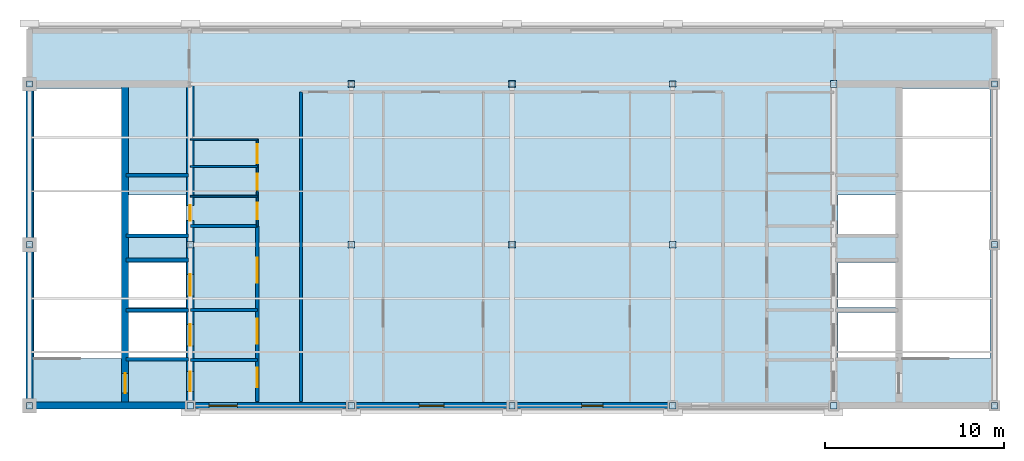
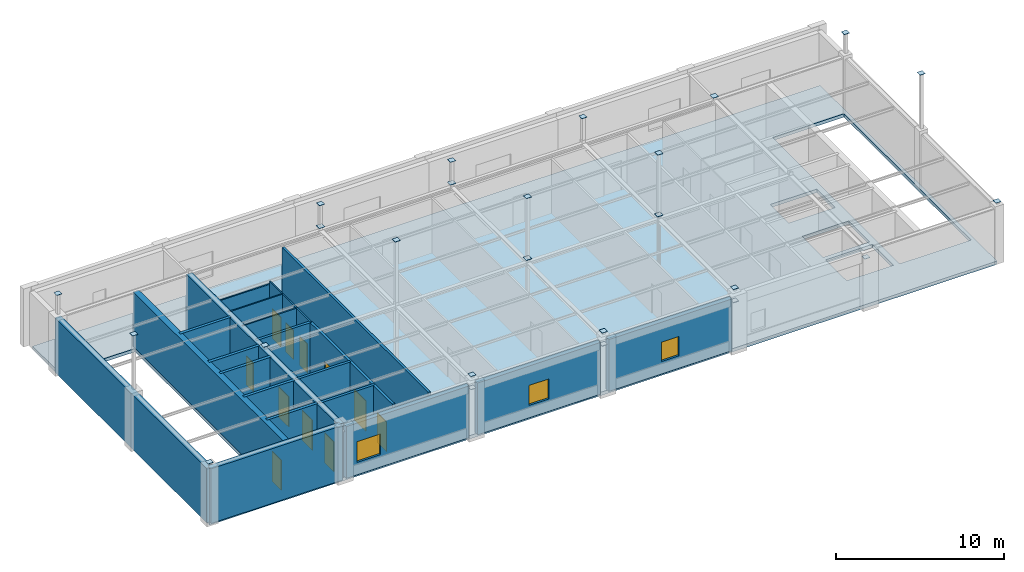
# One storey, part 10 of 13: 26 plates, 21 walls, 11 doors, 3 windows, 1 slab, 20 openings.
"""IFC4 building model written with IfcOpenShell, lengths in metres."""

from ifc_helpers import new_model, si_unit, direction, frame, frame_2d, origin, origin_2d, place, context, subcontext, project, spatial, polyline, rectangle, outline, extrude, material, layer, layer_set, type_object, element, fill, save


model = new_model("IFC4")

# Units and contexts
model_context = context("Model", 3, precision=1e-05, world=origin(), true_north=direction((0.0, 1.0)))
body_context = subcontext(model_context, "Body", "Model", "MODEL_VIEW")
ifc_project = project(units=[si_unit("LENGTHUNIT", "METRE"), si_unit("AREAUNIT", "SQUARE_METRE"), si_unit("VOLUMEUNIT", "CUBIC_METRE"), si_unit("PLANEANGLEUNIT", "RADIAN"), si_unit("MASSUNIT", "GRAM", prefix="KILO")], contexts=[model_context])

# Site, building, storey
site_placement = place(None, origin())
site = spatial("IfcSite", under=ifc_project, at=site_placement, CompositionType="ELEMENT")
building_placement = place(site_placement, origin())
building = spatial("IfcBuilding", under=site, at=building_placement, Name="Lykobir Media Centre", CompositionType="ELEMENT")
storey_placement = place(building_placement, frame((0.0, 0.0, 36.0)))
storey = spatial("IfcBuildingStorey", under=building, at=storey_placement, Name="L08", CompositionType="ELEMENT", Elevation=36.0)

# Plates
ifc_material_1 = material(Name="Steel S355", Category="steel")
ifc_layer_1 = layer(ifc_material_1, 0.02001953125, Name="Steel S355")
ifc_layer_set_1 = layer_set([ifc_layer_1], Name="Steel S355")
plate_type_1 = type_object("IfcPlateType", Name="CP-320", PredefinedType="SHEET", material=ifc_layer_set_1)
for number, where, z_axis, x_axis, name in (
    (1, (27.0, 0.0, 4.3447265625), (0.0, 0.0, 1.0), (1.0, 0.0, 0.0), "Structural plate PLT-L08-0270-0000-0404"),
    (2, (27.0, 9.0, 8.1650390625), (0.0, 0.0, 1.0), (1.0, 0.0, 0.0), "Structural plate PLT-L08-0270-0090-0442"),
    (3, (27.0, 18.0, 5.647705078125), (0.0, 0.0, 1.0), (1.0, 0.0, 0.0), "Structural plate PLT-L08-0270-0180-0417"),
    (4, (45.0, 0.0, 4.381591796875), (0.0, 0.0, 1.0), (1.0, 0.0, 0.0), "Structural plate PLT-L08-0450-0000-0404"),
    (5, (45.0, 9.0, 8.67431640625), (0.0, 0.0, 1.0), (1.0, 0.0, 0.0), "Structural plate PLT-L08-0450-0090-0447"),
    (6, (45.0, 18.0, 5.845703125), (0.0, 0.0, 1.0), (1.0, 0.0, 0.0), "Structural plate PLT-L08-0450-0180-0419"),
    (7, (54.0, 0.0, 4.381591796875), (0.0, 0.0, 1.0), (1.0, 0.0, 0.0), "Structural plate PLT-L08-0540-0000-0404"),
    (8, (54.0, 9.0, 8.67431640625), (0.0, 0.0, 1.0), (1.0, 0.0, 0.0), "Structural plate PLT-L08-0540-0090-0447"),
    (9, (54.0, 18.0, 5.845703125), (0.0, 0.0, 1.0), (1.0, 0.0, 0.0), "Structural plate PLT-L08-0540-0180-0419"),
    (10, (63.0, 0.0, 4.381591796875), (0.0, 0.0, 1.0), (1.0, 0.0, 0.0), "Structural plate PLT-L08-0630-0000-0404"),
    (11, (63.0, 9.0, 8.67431640625), (0.0, 0.0, 1.0), (1.0, 0.0, 0.0), "Structural plate PLT-L08-0630-0090-0447"),
    (12, (63.0, 18.0, 5.845703125), (0.0, 0.0, 1.0), (1.0, 0.0, 0.0), "Structural plate PLT-L08-0630-0180-0419"),
    (13, (81.0, 0.0, 4.3447265625), (0.0, 0.0, 1.0), (1.0, 0.0, 0.0), "Structural plate PLT-L08-0810-0000-0404"),
    (14, (81.0, 9.0, 8.1650390625), (0.0, 0.0, 1.0), (1.0, 0.0, 0.0), "Structural plate PLT-L08-0810-0090-0442"),
    (15, (81.0, 18.0, 5.647705078125), (0.0, 0.0, 1.0), (1.0, 0.0, 0.0), "Structural plate PLT-L08-0810-0180-0417"),
    (16, (36.0, 0.0, 3.43994140625), (0.0, 0.0, 1.0), (1.0, 0.0, 0.0), "Structural plate PLT-L08-0360-0000-0394"),
    (17, (45.0, 0.0, 3.43994140625), (0.0, 0.0, 1.0), (1.0, 0.0, 0.0), "Structural plate PLT-L08-0450-0000-0394"),
    (18, (54.0, 0.0, 3.43994140625), (0.0, 0.0, 1.0), (1.0, 0.0, 0.0), "Structural plate PLT-L08-0540-0000-0394"),
    (19, (63.0, 0.0, 3.43994140625), (0.0, 0.0, 1.0), (1.0, 0.0, 0.0), "Structural plate PLT-L08-0630-0000-0394"),
    (20, (72.0, 0.0, 3.43994140625), (0.0, 0.0, 1.0), (1.0, 0.0, 0.0), "Structural plate PLT-L08-0720-0000-0394"),
):
    element("IfcPlate", number, at=place(storey_placement, frame(where, z_axis=z_axis, x_axis=x_axis)), inside=storey, type_object=plate_type_1, Name=name, PredefinedType="SHEET", context=body_context, shape_type="SweptSolid", body=[
        extrude(rectangle(XDim=0.360107421875, YDim=0.360107421875, at=origin_2d()), origin(), (0.0, 0.0, 1.0), 0.02001953125),
    ])
ifc_layer_2 = layer(ifc_material_1, 0.02197265625, Name="Steel S355")
ifc_layer_set_2 = layer_set([ifc_layer_2], Name="Steel S355")
plate_type_2 = type_object("IfcPlateType", Name="CP-360", PredefinedType="SHEET", material=ifc_layer_set_2)
for number, where, z_axis, x_axis, name in (
    (21, (36.0, 9.0, 4.199951171875), (0.0, 0.0, 1.0), (1.0, 0.0, 0.0), "Structural plate PLT-L08-0360-0090-0402"),
    (22, (45.0, 18.0, 4.199951171875), (0.0, 0.0, 1.0), (1.0, 0.0, 0.0), "Structural plate PLT-L08-0450-0180-0402"),
    (23, (54.0, 9.0, 4.199951171875), (0.0, 0.0, 1.0), (1.0, 0.0, 0.0), "Structural plate PLT-L08-0540-0090-0402"),
    (24, (54.0, 18.0, 4.199951171875), (0.0, 0.0, 1.0), (1.0, 0.0, 0.0), "Structural plate PLT-L08-0540-0180-0402"),
    (25, (63.0, 9.0, 4.199951171875), (0.0, 0.0, 1.0), (1.0, 0.0, 0.0), "Structural plate PLT-L08-0630-0090-0402"),
    (26, (72.0, 18.0, 4.199951171875), (0.0, 0.0, 1.0), (1.0, 0.0, 0.0), "Structural plate PLT-L08-0720-0180-0402"),
):
    element("IfcPlate", number, at=place(storey_placement, frame(where, z_axis=z_axis, x_axis=x_axis)), inside=storey, type_object=plate_type_2, Name=name, PredefinedType="SHEET", context=body_context, shape_type="SweptSolid", body=[
        extrude(rectangle(XDim=0.3798828125, YDim=0.3798828125, at=origin_2d()), origin(), (0.0, 0.0, 1.0), 0.02197265625),
    ])

# Slab, openings
ifc_material_2 = material(Name="Concrete C30/37", Category="concrete")
ifc_layer_3 = layer(ifc_material_2, 0.239990234375, Name="Concrete C30/37")
ifc_layer_set_3 = layer_set([ifc_layer_3], Name="Concrete C30/37")
slab_type = type_object("IfcSlabType", Name="FS-240", PredefinedType="FLOOR", material=ifc_layer_set_3)
slab_placement = place(storey_placement, frame((0.0, 0.0, -0.239990234375)))
slab = element("IfcSlab", 27, at=slab_placement, inside=storey, type_object=slab_type, Name="L08 structural slab 1", PredefinedType="FLOOR", context=body_context, shape_type="SweptSolid", body=[
    extrude(outline(polyline([(81.0, 0.0), (81.0, 21.0), (27.0, 21.0), (27.0, 0.0), (81.0, 0.0)]), holes=[polyline([(27.25, 2.64990234375), (27.25, 17.75), (32.14990234375, 17.75), (32.14990234375, 2.64990234375), (27.25, 2.64990234375)]), polyline([(75.85009765625, 2.64990234375), (75.85009765625, 17.75), (80.75, 17.75), (80.75, 2.64990234375), (75.85009765625, 2.64990234375)])]), origin(), (0.0, 0.0, 1.0), 0.239990234375),
])
opening_1_placement = place(slab_placement, frame((34.14990234375, 3.949951171875, 0.0)))
element("IfcOpeningElement", 28, at=opening_1_placement, cuts=slab, Name="Shaft opening C1-pass_shaft-L08", PredefinedType="OPENING", context=body_context, shape_type="SweptSolid", body=[
    extrude(rectangle(XDim=3.199951171875, YDim=2.5, at=origin_2d()), origin(), (0.0, 0.0, 1.0), 0.239990234375),
])
opening_2_placement = place(slab_placement, frame((34.14990234375, 6.75, 0.0)))
element("IfcOpeningElement", 29, at=opening_2_placement, cuts=slab, Name="Shaft opening C1-ff_shaft-L08", PredefinedType="OPENING", context=body_context, shape_type="SweptSolid", body=[
    extrude(rectangle(XDim=3.199951171875, YDim=2.5, at=origin_2d()), origin(), (0.0, 0.0, 1.0), 0.239990234375),
])
opening_3_placement = place(slab_placement, frame((34.14990234375, 10.699951171875, 0.0)))
element("IfcOpeningElement", 30, at=opening_3_placement, cuts=slab, Name="Shaft opening C1-riser_shaft-L08", PredefinedType="OPENING", context=body_context, shape_type="SweptSolid", body=[
    extrude(rectangle(XDim=3.199951171875, YDim=2.199951171875, at=origin_2d()), origin(), (0.0, 0.0, 1.0), 0.239990234375),
])
opening_4_placement = place(slab_placement, frame((73.85009765625, 3.949951171875, 0.0)))
element("IfcOpeningElement", 31, at=opening_4_placement, cuts=slab, Name="Shaft opening C2-pass_shaft-L08", PredefinedType="OPENING", context=body_context, shape_type="SweptSolid", body=[
    extrude(rectangle(XDim=3.199951171875, YDim=2.5, at=origin_2d()), origin(), (0.0, 0.0, 1.0), 0.239990234375),
])
opening_5_placement = place(slab_placement, frame((73.85009765625, 6.75, 0.0)))
element("IfcOpeningElement", 32, at=opening_5_placement, cuts=slab, Name="Shaft opening C2-ff_shaft-L08", PredefinedType="OPENING", context=body_context, shape_type="SweptSolid", body=[
    extrude(rectangle(XDim=3.199951171875, YDim=2.5, at=origin_2d()), origin(), (0.0, 0.0, 1.0), 0.239990234375),
])
opening_6_placement = place(slab_placement, frame((73.85009765625, 10.699951171875, 0.0)))
element("IfcOpeningElement", 33, at=opening_6_placement, cuts=slab, Name="Shaft opening C2-riser_shaft-L08", PredefinedType="OPENING", context=body_context, shape_type="SweptSolid", body=[
    extrude(rectangle(XDim=3.199951171875, YDim=2.199951171875, at=origin_2d()), origin(), (0.0, 0.0, 1.0), 0.239990234375),
])

# Wall, opening, window
ifc_material_3 = material(Name="Architectural Ochre Brick", Category="masonry")
ifc_layer_4 = layer(ifc_material_3, 0.330078125, Name="Architectural Ochre Brick")
ifc_layer_set_4 = layer_set([ifc_layer_4], Name="Architectural Ochre Brick")
wall_type_1 = type_object("IfcWallType", Name="EW-BRK-330", PredefinedType="STANDARD", material=ifc_layer_set_4)
wall_1_placement = place(storey_placement, frame((36.284912109375, 0.0, 0.0), z_axis=(0.0, 0.0, 1.0), x_axis=(1.0, 0.0, 0.0)))
wall_1 = element("IfcWall", 34, at=wall_1_placement, inside=storey, type_object=wall_type_1, Name="Exterior wall WALL-L08-0380", PredefinedType="STANDARD", context=body_context, shape_type="SweptSolid", body=[
    extrude(rectangle(XDim=8.43017578125, YDim=0.330078125, at=frame_2d((4.215087890625, 0.0))), origin(), (0.0, 0.0, 1.0), 3.7548828125),
])
opening_7_placement = place(wall_1_placement, frame((0.75, 0.0, 0.89990234375)))
opening_7 = element("IfcOpeningElement", 35, at=opening_7_placement, cuts=wall_1, Name="Opening WN-1600x1500", PredefinedType="OPENING", context=body_context, shape_type="SweptSolid", body=[
    extrude(rectangle(XDim=1.60009765625, YDim=1.5, at=frame_2d((0.800048828125, 0.75))), frame((0.0, 0.175048828125, 0.0), z_axis=(0.0, -1.0, 0.0), x_axis=(1.0, 0.0, 0.0)), (0.0, 0.0, 1.0), 0.35009765625),
])
ifc_material_4 = material(Name="Low-E Laminated Triple Glazing", Category="glass")
window_type_1 = type_object("IfcWindowType", Name="WN-1600x1500", PartitioningType="SINGLE_PANEL", PredefinedType="WINDOW", material=ifc_material_4)
window_1_placement = place(opening_7_placement, origin())
window_1 = element("IfcWindow", 36, at=window_1_placement, inside=storey, type_object=window_type_1, Name="Window WIN-L08-0179", OverallHeight=1.5, OverallWidth=1.60009765625, PartitioningType="SINGLE_PANEL", PredefinedType="WINDOW", context=body_context, shape_type="SweptSolid", body=[
    extrude(rectangle(XDim=1.60009765625, YDim=1.5, at=frame_2d((0.800048828125, 0.75))), frame((0.0, 0.030029296875, 0.0), z_axis=(0.0, -1.0, 0.0), x_axis=(1.0, 0.0, 0.0)), (0.0, 0.0, 1.0), 0.06005859375),
])
fill(opening_7, window_1)

wall_2_placement = place(storey_placement, frame((45.284912109375, 0.0, 0.0), z_axis=(0.0, 0.0, 1.0), x_axis=(1.0, 0.0, 0.0)))
wall_2 = element("IfcWall", 37, at=wall_2_placement, inside=storey, type_object=wall_type_1, Name="Exterior wall WALL-L08-0381", PredefinedType="STANDARD", context=body_context, shape_type="SweptSolid", body=[
    extrude(rectangle(XDim=8.43017578125, YDim=0.330078125, at=frame_2d((4.215087890625, 0.0))), origin(), (0.0, 0.0, 1.0), 3.7548828125),
])
opening_8_placement = place(wall_2_placement, frame((3.514892578125, 0.0, 0.89990234375)))
opening_8 = element("IfcOpeningElement", 38, at=opening_8_placement, cuts=wall_2, Name="Opening WN-1400x1450", PredefinedType="OPENING", context=body_context, shape_type="SweptSolid", body=[
    extrude(rectangle(XDim=1.39990234375, YDim=1.449951171875, at=frame_2d((0.699951171875, 0.72509765625))), frame((0.0, 0.175048828125, 0.0), z_axis=(0.0, -1.0, 0.0), x_axis=(1.0, 0.0, 0.0)), (0.0, 0.0, 1.0), 0.35009765625),
])
window_type_2 = type_object("IfcWindowType", Name="WN-1400x1450", PartitioningType="SINGLE_PANEL", PredefinedType="WINDOW", material=ifc_material_4)
window_2_placement = place(opening_8_placement, origin())
window_2 = element("IfcWindow", 39, at=window_2_placement, inside=storey, type_object=window_type_2, Name="Window WIN-L08-0180", OverallHeight=1.449951171875, OverallWidth=1.39990234375, PartitioningType="SINGLE_PANEL", PredefinedType="WINDOW", context=body_context, shape_type="SweptSolid", body=[
    extrude(rectangle(XDim=1.39990234375, YDim=1.449951171875, at=frame_2d((0.699951171875, 0.72509765625))), frame((0.0, 0.030029296875, 0.0), z_axis=(0.0, -1.0, 0.0), x_axis=(1.0, 0.0, 0.0)), (0.0, 0.0, 1.0), 0.06005859375),
])
fill(opening_8, window_2)

wall_3_placement = place(storey_placement, frame((54.284912109375, 0.0, 0.0), z_axis=(0.0, 0.0, 1.0), x_axis=(1.0, 0.0, 0.0)))
wall_3 = element("IfcWall", 40, at=wall_3_placement, inside=storey, type_object=wall_type_1, Name="Exterior wall WALL-L08-0382", PredefinedType="STANDARD", context=body_context, shape_type="SweptSolid", body=[
    extrude(rectangle(XDim=8.43017578125, YDim=0.330078125, at=frame_2d((4.215087890625, 0.0))), origin(), (0.0, 0.0, 1.0), 3.7548828125),
])
opening_9_placement = place(wall_3_placement, frame((3.614990234375, 0.0, 0.89990234375)))
opening_9 = element("IfcOpeningElement", 41, at=opening_9_placement, cuts=wall_3, Name="Opening WN-1200x1400", PredefinedType="OPENING", context=body_context, shape_type="SweptSolid", body=[
    extrude(rectangle(XDim=1.199951171875, YDim=1.39990234375, at=frame_2d((0.60009765625, 0.699951171875))), frame((0.0, 0.175048828125, 0.0), z_axis=(0.0, -1.0, 0.0), x_axis=(1.0, 0.0, 0.0)), (0.0, 0.0, 1.0), 0.35009765625),
])
window_type_3 = type_object("IfcWindowType", Name="WN-1200x1400", PartitioningType="SINGLE_PANEL", PredefinedType="WINDOW", material=ifc_material_4)
window_3_placement = place(opening_9_placement, origin())
window_3 = element("IfcWindow", 42, at=window_3_placement, inside=storey, type_object=window_type_3, Name="Window WIN-L08-0181", OverallHeight=1.39990234375, OverallWidth=1.199951171875, PartitioningType="SINGLE_PANEL", PredefinedType="WINDOW", context=body_context, shape_type="SweptSolid", body=[
    extrude(rectangle(XDim=1.199951171875, YDim=1.39990234375, at=frame_2d((0.60009765625, 0.699951171875))), frame((0.0, 0.030029296875, 0.0), z_axis=(0.0, -1.0, 0.0), x_axis=(1.0, 0.0, 0.0)), (0.0, 0.0, 1.0), 0.06005859375),
])
fill(opening_9, window_3)

# Wall
ifc_material_5 = material(Name="Acoustic Gypsum Board", Category="gypsum")
ifc_layer_5 = layer(ifc_material_5, 0.159912109375, Name="Acoustic Gypsum Board")
ifc_layer_set_5 = layer_set([ifc_layer_5], Name="Acoustic Gypsum Board")
wall_type_2 = type_object("IfcWallType", Name="IW-COR-160", PredefinedType="PARTITIONING", material=ifc_layer_set_5)
wall_4_placement = place(storey_placement, frame((42.199951171875, 0.219970703125, 0.0), z_axis=(0.0, 0.0, 1.0), x_axis=(0.0, 1.0, 0.0)))
element("IfcWall", 43, at=wall_4_placement, inside=storey, type_object=wall_type_2, Name="Wall IWALL-L08-0791", PredefinedType="PARTITIONING", context=body_context, shape_type="SweptSolid", body=[
    extrude(rectangle(XDim=17.330078125, YDim=0.159912109375, at=frame_2d((8.6650390625, 0.0))), origin(), (0.0, 0.0, 1.0), 3.9599609375),
])

# Wall, openings, doors
ifc_layer_6 = layer(ifc_material_5, 0.179931640625, Name="Acoustic Gypsum Board")
ifc_layer_set_6 = layer_set([ifc_layer_6], Name="Acoustic Gypsum Board")
wall_type_3 = type_object("IfcWallType", Name="IW-FFLOB-180", PredefinedType="PARTITIONING", material=ifc_layer_set_6)
wall_5_placement = place(storey_placement, frame((39.75, 0.219970703125, 0.0), z_axis=(0.0, 0.0, 1.0), x_axis=(0.0, 1.0, 0.0)))
wall_5 = element("IfcWall", 44, at=wall_5_placement, inside=storey, type_object=wall_type_3, Name="Wall IWALL-L08-0173", PredefinedType="PARTITIONING", context=body_context, shape_type="SweptSolid", body=[
    extrude(rectangle(XDim=9.830078125, YDim=0.179931640625, at=frame_2d((4.9150390625, 0.0))), origin(), (0.0, 0.0, 1.0), 3.9599609375),
])
opening_10_placement = place(wall_5_placement, frame((0.800048828125, 0.0, 0.0)))
opening_10 = element("IfcOpeningElement", 45, at=opening_10_placement, cuts=wall_5, Name="Opening D-L08-C1LV", PredefinedType="OPENING", context=body_context, shape_type="SweptSolid", body=[
    extrude(rectangle(XDim=1.10009765625, YDim=2.159912109375, at=frame_2d((0.550048828125, 1.080078125))), frame((0.0, 0.099853515625, 0.0), z_axis=(0.0, -1.0, 0.0), x_axis=(1.0, 0.0, 0.0)), (0.0, 0.0, 1.0), 0.199951171875),
])
opening_11_placement = place(wall_5_placement, frame((3.25, 0.0, 0.0)))
opening_11 = element("IfcOpeningElement", 46, at=opening_11_placement, cuts=wall_5, Name="Opening D-L08-C1PL", PredefinedType="OPENING", context=body_context, shape_type="SweptSolid", body=[
    extrude(rectangle(XDim=1.39990234375, YDim=2.199951171875, at=frame_2d((0.699951171875, 1.10009765625))), frame((0.0, 0.099853515625, 0.0), z_axis=(0.0, -1.0, 0.0), x_axis=(1.0, 0.0, 0.0)), (0.0, 0.0, 1.0), 0.199951171875),
])
opening_12_placement = place(wall_5_placement, frame((6.64990234375, 0.0, 0.0)))
opening_12 = element("IfcOpeningElement", 47, at=opening_12_placement, cuts=wall_5, Name="Opening D-L08-C1FF", PredefinedType="OPENING", context=body_context, shape_type="SweptSolid", body=[
    extrude(rectangle(XDim=1.39990234375, YDim=2.199951171875, at=frame_2d((0.699951171875, 1.10009765625))), frame((0.0, 0.099853515625, 0.0), z_axis=(0.0, -1.0, 0.0), x_axis=(1.0, 0.0, 0.0)), (0.0, 0.0, 1.0), 0.199951171875),
])
ifc_material_6 = material(Name="Acoustic Timber Panelling", Category="wood")
door_type_1 = type_object("IfcDoorType", Name="FD-1100x2160", OperationType="NOTDEFINED", PredefinedType="DOOR", material=ifc_material_6)
door_1_placement = place(opening_10_placement, origin())
door_1 = element("IfcDoor", 48, at=door_1_placement, inside=storey, type_object=door_type_1, Name="Door D-L08-C1LV", OperationType="SINGLE_SWING_LEFT", OverallHeight=2.159912109375, OverallWidth=1.10009765625, PredefinedType="DOOR", context=body_context, shape_type="SweptSolid", body=[
    extrude(rectangle(XDim=1.10009765625, YDim=2.159912109375, at=frame_2d((0.550048828125, 1.080078125))), frame((0.0, 0.02490234375, 0.0), z_axis=(0.0, -1.0, 0.0), x_axis=(1.0, 0.0, 0.0)), (0.0, 0.0, 1.0), 0.050048828125),
])
fill(opening_10, door_1)
door_type_2 = type_object("IfcDoorType", Name="FD-1400x2200", OperationType="NOTDEFINED", PredefinedType="DOOR", material=ifc_material_6)
door_2_placement = place(opening_11_placement, origin())
door_2 = element("IfcDoor", 49, at=door_2_placement, inside=storey, type_object=door_type_2, Name="Door D-L08-C1PL", OperationType="DOUBLE_DOOR_SINGLE_SWING", OverallHeight=2.199951171875, OverallWidth=1.39990234375, PredefinedType="DOOR", context=body_context, shape_type="SweptSolid", body=[
    extrude(rectangle(XDim=1.39990234375, YDim=2.199951171875, at=frame_2d((0.699951171875, 1.10009765625))), frame((0.0, 0.02490234375, 0.0), z_axis=(0.0, -1.0, 0.0), x_axis=(1.0, 0.0, 0.0)), (0.0, 0.0, 1.0), 0.050048828125),
])
fill(opening_11, door_2)
door_3_placement = place(opening_12_placement, origin())
door_3 = element("IfcDoor", 50, at=door_3_placement, inside=storey, type_object=door_type_2, Name="Door D-L08-C1FF", OperationType="DOUBLE_DOOR_SINGLE_SWING", OverallHeight=2.199951171875, OverallWidth=1.39990234375, PredefinedType="DOOR", context=body_context, shape_type="SweptSolid", body=[
    extrude(rectangle(XDim=1.39990234375, YDim=2.199951171875, at=frame_2d((0.699951171875, 1.10009765625))), frame((0.0, 0.02490234375, 0.0), z_axis=(0.0, -1.0, 0.0), x_axis=(1.0, 0.0, 0.0)), (0.0, 0.0, 1.0), 0.050048828125),
])
fill(opening_12, door_3)

# Walls
for number, where, z_axis, x_axis, name in (
    (51, (36.0, 2.550048828125, 0.0), (0.0, 0.0, 1.0), (1.0, 0.0, 0.0), "Wall IWALL-L08-0174"),
    (52, (36.0, 5.35009765625, 0.0), (0.0, 0.0, 1.0), (1.0, 0.0, 0.0), "Wall IWALL-L08-0175"),
    (53, (36.0, 10.050048828125, 0.0), (0.0, 0.0, 1.0), (1.0, 0.0, 0.0), "Wall IWALL-L08-0176"),
):
    element("IfcWall", number, at=place(storey_placement, frame(where, z_axis=z_axis, x_axis=x_axis)), inside=storey, type_object=wall_type_3, Name=name, PredefinedType="PARTITIONING", context=body_context, shape_type="SweptSolid", body=[
        extrude(rectangle(XDim=3.75, YDim=0.179931640625, at=frame_2d((1.875, 0.0))), origin(), (0.0, 0.0, 1.0), 3.9599609375),
    ])
ifc_layer_7 = layer(ifc_material_2, 0.199951171875, Name="Concrete C30/37")
ifc_layer_set_7 = layer_set([ifc_layer_7], Name="Concrete C30/37")
wall_type_4 = type_object("IfcWallType", Name="IW-SHAFT-200", PredefinedType="PARTITIONING", material=ifc_layer_set_7)
for number, where, z_axis, x_axis, name in (
    (54, (32.39990234375, 2.60009765625, 0.0), (0.0, 0.0, 1.0), (1.0, 0.0, 0.0), "Wall IWALL-L08-0168"),
    (55, (32.39990234375, 5.35009765625, 0.0), (0.0, 0.0, 1.0), (1.0, 0.0, 0.0), "Wall IWALL-L08-0169"),
    (56, (32.39990234375, 8.14990234375, 0.0), (0.0, 0.0, 1.0), (1.0, 0.0, 0.0), "Wall IWALL-L08-0170"),
    (57, (32.39990234375, 9.5, 0.0), (0.0, 0.0, 1.0), (1.0, 0.0, 0.0), "Wall IWALL-L08-0171"),
    (58, (32.39990234375, 12.89990234375, 0.0), (0.0, 0.0, 1.0), (1.0, 0.0, 0.0), "Wall IWALL-L08-0172"),
):
    element("IfcWall", number, at=place(storey_placement, frame(where, z_axis=z_axis, x_axis=x_axis)), inside=storey, type_object=wall_type_4, Name=name, PredefinedType="PARTITIONING", context=body_context, shape_type="SweptSolid", body=[
        extrude(rectangle(XDim=3.5, YDim=0.199951171875, at=frame_2d((1.75, 0.0))), origin(), (0.0, 0.0, 1.0), 3.9599609375),
    ])

# Wall, openings, doors
ifc_layer_8 = layer(ifc_material_5, 0.094970703125, Name="Acoustic Gypsum Board")
ifc_layer_set_8 = layer_set([ifc_layer_8], Name="Acoustic Gypsum Board")
wall_type_5 = type_object("IfcWallType", Name="IW-WC-095", PredefinedType="PARTITIONING", material=ifc_layer_set_8)
wall_6_placement = place(storey_placement, frame((39.75, 10.050048828125, 0.0), z_axis=(0.0, 0.0, 1.0), x_axis=(0.0, 1.0, 0.0)))
wall_6 = element("IfcWall", 59, at=wall_6_placement, inside=storey, type_object=wall_type_5, Name="Wall IWALL-L08-0177", PredefinedType="PARTITIONING", context=body_context, shape_type="SweptSolid", body=[
    extrude(rectangle(XDim=4.849853515625, YDim=0.094970703125, at=frame_2d((2.4248046875, 0.0))), origin(), (0.0, 0.0, 1.0), 3.9599609375),
])
opening_13_placement = place(wall_6_placement, frame((0.3798828125, 0.0, 0.0)))
opening_13 = element("IfcOpeningElement", 60, at=opening_13_placement, cuts=wall_6, Name="Opening D-L08-WCM", PredefinedType="OPENING", context=body_context, shape_type="SweptSolid", body=[
    extrude(rectangle(XDim=0.919921875, YDim=2.10009765625, at=frame_2d((0.4599609375, 1.050048828125))), frame((0.0, 0.057373046875, 0.0), z_axis=(0.0, -1.0, 0.0), x_axis=(1.0, 0.0, 0.0)), (0.0, 0.0, 1.0), 0.114990234375),
])
opening_14_placement = place(wall_6_placement, frame((2.02001953125, 0.0, 0.0)))
opening_14 = element("IfcOpeningElement", 61, at=opening_14_placement, cuts=wall_6, Name="Opening D-L08-WCF", PredefinedType="OPENING", context=body_context, shape_type="SweptSolid", body=[
    extrude(rectangle(XDim=0.919921875, YDim=2.10009765625, at=frame_2d((0.4599609375, 1.050048828125))), frame((0.0, 0.057373046875, 0.0), z_axis=(0.0, -1.0, 0.0), x_axis=(1.0, 0.0, 0.0)), (0.0, 0.0, 1.0), 0.114990234375),
])
opening_15_placement = place(wall_6_placement, frame((3.52001953125, 0.0, 0.0)))
opening_15 = element("IfcOpeningElement", 62, at=opening_15_placement, cuts=wall_6, Name="Opening D-L08-WCA1", PredefinedType="OPENING", context=body_context, shape_type="SweptSolid", body=[
    extrude(rectangle(XDim=1.050048828125, YDim=2.1298828125, at=frame_2d((0.52490234375, 1.06494140625))), frame((0.0, 0.057373046875, 0.0), z_axis=(0.0, -1.0, 0.0), x_axis=(1.0, 0.0, 0.0)), (0.0, 0.0, 1.0), 0.114990234375),
])
door_type_3 = type_object("IfcDoorType", Name="ID-0920x2100", OperationType="NOTDEFINED", PredefinedType="DOOR", material=ifc_material_6)
door_4_placement = place(opening_13_placement, origin())
door_4 = element("IfcDoor", 63, at=door_4_placement, inside=storey, type_object=door_type_3, Name="Door D-L08-WCM", OperationType="SINGLE_SWING_RIGHT", OverallHeight=2.10009765625, OverallWidth=0.919921875, PredefinedType="DOOR", context=body_context, shape_type="SweptSolid", body=[
    extrude(rectangle(XDim=0.919921875, YDim=2.10009765625, at=frame_2d((0.4599609375, 1.050048828125))), frame((0.0, 0.02490234375, 0.0), z_axis=(0.0, -1.0, 0.0), x_axis=(1.0, 0.0, 0.0)), (0.0, 0.0, 1.0), 0.050048828125),
])
fill(opening_13, door_4)
door_5_placement = place(opening_14_placement, origin())
door_5 = element("IfcDoor", 64, at=door_5_placement, inside=storey, type_object=door_type_3, Name="Door D-L08-WCF", OperationType="SINGLE_SWING_LEFT", OverallHeight=2.10009765625, OverallWidth=0.919921875, PredefinedType="DOOR", context=body_context, shape_type="SweptSolid", body=[
    extrude(rectangle(XDim=0.919921875, YDim=2.10009765625, at=frame_2d((0.4599609375, 1.050048828125))), frame((0.0, 0.02490234375, 0.0), z_axis=(0.0, -1.0, 0.0), x_axis=(1.0, 0.0, 0.0)), (0.0, 0.0, 1.0), 0.050048828125),
])
fill(opening_14, door_5)
door_type_4 = type_object("IfcDoorType", Name="ID-1050x2130", OperationType="NOTDEFINED", PredefinedType="DOOR", material=ifc_material_6)
door_6_placement = place(opening_15_placement, origin())
door_6 = element("IfcDoor", 65, at=door_6_placement, inside=storey, type_object=door_type_4, Name="Door D-L08-WCA1", OperationType="SINGLE_SWING_RIGHT", OverallHeight=2.1298828125, OverallWidth=1.050048828125, PredefinedType="DOOR", context=body_context, shape_type="SweptSolid", body=[
    extrude(rectangle(XDim=1.050048828125, YDim=2.1298828125, at=frame_2d((0.52490234375, 1.06494140625))), frame((0.0, 0.02490234375, 0.0), z_axis=(0.0, -1.0, 0.0), x_axis=(1.0, 0.0, 0.0)), (0.0, 0.0, 1.0), 0.050048828125),
])
fill(opening_15, door_6)

# Walls
for number, where, z_axis, x_axis, name in (
    (66, (36.0, 11.719970703125, 0.0), (0.0, 0.0, 1.0), (1.0, 0.0, 0.0), "Wall IWALL-L08-0178"),
    (67, (36.0, 13.3798828125, 0.0), (0.0, 0.0, 1.0), (1.0, 0.0, 0.0), "Wall IWALL-L08-0179"),
):
    element("IfcWall", number, at=place(storey_placement, frame(where, z_axis=z_axis, x_axis=x_axis)), inside=storey, type_object=wall_type_5, Name=name, PredefinedType="PARTITIONING", context=body_context, shape_type="SweptSolid", body=[
        extrude(rectangle(XDim=3.75, YDim=0.094970703125, at=frame_2d((1.875, 0.0))), origin(), (0.0, 0.0, 1.0), 3.9599609375),
    ])
wall_7_placement = place(storey_placement, frame((36.0, 14.89990234375, 0.0), z_axis=(0.0, 0.0, 1.0), x_axis=(1.0, 0.0, 0.0)))
element("IfcWall", 68, at=wall_7_placement, inside=storey, type_object=wall_type_5, Name="Wall IWALL-L08-0180", PredefinedType="PARTITIONING", context=body_context, shape_type="SweptSolid", body=[
    extrude(rectangle(XDim=3.75, YDim=0.094970703125, at=frame_2d((1.875, 0.0))), origin(), (0.0, 0.0, 1.0), 3.764892578125),
])

# Wall, openings, doors
ifc_material_7 = material(Name="Concrete C40/50", Category="concrete")
ifc_layer_9 = layer(ifc_material_7, 0.39990234375, Name="Concrete C40/50")
ifc_layer_set_9 = layer_set([ifc_layer_9], Name="Concrete C40/50")
wall_type_6 = type_object("IfcWallType", Name="SW-CORE-400", PredefinedType="SHEAR", material=ifc_layer_set_9)
wall_8_placement = place(storey_placement, frame((36.0, 0.0, 0.0), z_axis=(0.0, 0.0, 1.0), x_axis=(0.0, 1.0, 0.0)))
wall_8 = element("IfcWall", 69, at=wall_8_placement, inside=storey, type_object=wall_type_6, Name="Wall IWALL-L08-0164", PredefinedType="SHEAR", context=body_context, shape_type="SweptSolid", body=[
    extrude(rectangle(XDim=18.0, YDim=0.39990234375, at=frame_2d((9.0, 0.0))), origin(), (0.0, 0.0, 1.0), 3.9599609375),
])
opening_16_placement = place(wall_8_placement, frame((0.800048828125, 0.0, 0.0)))
opening_16 = element("IfcOpeningElement", 70, at=opening_16_placement, cuts=wall_8, Name="Opening D-L08-C1VB", PredefinedType="OPENING", context=body_context, shape_type="SweptSolid", body=[
    extrude(rectangle(XDim=1.10009765625, YDim=2.159912109375, at=frame_2d((0.550048828125, 1.080078125))), frame((0.0, 0.2099609375, 0.0), z_axis=(0.0, -1.0, 0.0), x_axis=(1.0, 0.0, 0.0)), (0.0, 0.0, 1.0), 0.419921875),
])
opening_17_placement = place(wall_8_placement, frame((3.35009765625, 0.0, 0.0)))
opening_17 = element("IfcOpeningElement", 71, at=opening_17_placement, cuts=wall_8, Name="Opening LD-L08-PL-1", PredefinedType="OPENING", context=body_context, shape_type="SweptSolid", body=[
    extrude(rectangle(XDim=1.199951171875, YDim=2.199951171875, at=frame_2d((0.60009765625, 1.10009765625))), frame((0.0, 0.2099609375, 0.0), z_axis=(0.0, -1.0, 0.0), x_axis=(1.0, 0.0, 0.0)), (0.0, 0.0, 1.0), 0.419921875),
])
opening_18_placement = place(wall_8_placement, frame((6.14990234375, 0.0, 0.0)))
opening_18 = element("IfcOpeningElement", 72, at=opening_18_placement, cuts=wall_8, Name="Opening LD-L08-FL-1", PredefinedType="OPENING", context=body_context, shape_type="SweptSolid", body=[
    extrude(rectangle(XDim=1.199951171875, YDim=2.199951171875, at=frame_2d((0.60009765625, 1.10009765625))), frame((0.0, 0.2099609375, 0.0), z_axis=(0.0, -1.0, 0.0), x_axis=(1.0, 0.0, 0.0)), (0.0, 0.0, 1.0), 0.419921875),
])
opening_19_placement = place(wall_8_placement, frame((10.35009765625, 0.0, 0.0)))
opening_19 = element("IfcOpeningElement", 73, at=opening_19_placement, cuts=wall_8, Name="Opening D-L08-C1RS", PredefinedType="OPENING", context=body_context, shape_type="SweptSolid", body=[
    extrude(rectangle(XDim=0.85009765625, YDim=2.10009765625, at=frame_2d((0.425048828125, 1.050048828125))), frame((0.0, 0.2099609375, 0.0), z_axis=(0.0, -1.0, 0.0), x_axis=(1.0, 0.0, 0.0)), (0.0, 0.0, 1.0), 0.419921875),
])
ifc_material_8 = material(Name="Anodized Aluminium AW-6060", Category="aluminium")
door_type_5 = type_object("IfcDoorType", Name="FD-0850x2100", OperationType="NOTDEFINED", PredefinedType="DOOR", material=ifc_material_8)
door_7_placement = place(opening_19_placement, origin())
door_7 = element("IfcDoor", 74, at=door_7_placement, inside=storey, type_object=door_type_5, Name="Riser access door C1 L08", OperationType="SINGLE_SWING_RIGHT", OverallHeight=2.10009765625, OverallWidth=0.85009765625, PredefinedType="DOOR", context=body_context, shape_type="SweptSolid", body=[
    extrude(rectangle(XDim=0.85009765625, YDim=2.10009765625, at=frame_2d((0.425048828125, 1.050048828125))), frame((0.0, 0.02490234375, 0.0), z_axis=(0.0, -1.0, 0.0), x_axis=(1.0, 0.0, 0.0)), (0.0, 0.0, 1.0), 0.050048828125),
])
fill(opening_19, door_7)
door_8_placement = place(opening_16_placement, origin())
door_8 = element("IfcDoor", 75, at=door_8_placement, inside=storey, type_object=door_type_1, Name="Door D-L08-C1VB", OperationType="SINGLE_SWING_LEFT", OverallHeight=2.159912109375, OverallWidth=1.10009765625, PredefinedType="DOOR", context=body_context, shape_type="SweptSolid", body=[
    extrude(rectangle(XDim=1.10009765625, YDim=2.159912109375, at=frame_2d((0.550048828125, 1.080078125))), frame((0.0, 0.02490234375, 0.0), z_axis=(0.0, -1.0, 0.0), x_axis=(1.0, 0.0, 0.0)), (0.0, 0.0, 1.0), 0.050048828125),
])
fill(opening_16, door_8)
door_type_6 = type_object("IfcDoorType", Name="LD-1200x2200", OperationType="NOTDEFINED", PredefinedType="DOOR", material=ifc_material_8)
door_9_placement = place(opening_17_placement, origin())
door_9 = element("IfcDoor", 76, at=door_9_placement, inside=storey, type_object=door_type_6, Name="Lift landing door PL-1 L08", OperationType="SLIDING_TO_LEFT", OverallHeight=2.199951171875, OverallWidth=1.199951171875, PredefinedType="DOOR", context=body_context, shape_type="SweptSolid", body=[
    extrude(rectangle(XDim=1.199951171875, YDim=2.199951171875, at=frame_2d((0.60009765625, 1.10009765625))), frame((0.0, 0.02490234375, 0.0), z_axis=(0.0, -1.0, 0.0), x_axis=(1.0, 0.0, 0.0)), (0.0, 0.0, 1.0), 0.050048828125),
])
fill(opening_17, door_9)
door_10_placement = place(opening_18_placement, origin())
door_10 = element("IfcDoor", 77, at=door_10_placement, inside=storey, type_object=door_type_6, Name="Firefighting lift landing door FL-1 L08", OperationType="SLIDING_TO_LEFT", OverallHeight=2.199951171875, OverallWidth=1.199951171875, PredefinedType="DOOR", context=body_context, shape_type="SweptSolid", body=[
    extrude(rectangle(XDim=1.199951171875, YDim=2.199951171875, at=frame_2d((0.60009765625, 1.10009765625))), frame((0.0, 0.02490234375, 0.0), z_axis=(0.0, -1.0, 0.0), x_axis=(1.0, 0.0, 0.0)), (0.0, 0.0, 1.0), 0.050048828125),
])
fill(opening_18, door_10)

# Wall, opening, door
wall_9_placement = place(storey_placement, frame((32.35009765625, 0.0, 0.0), z_axis=(0.0, 0.0, 1.0), x_axis=(0.0, 1.0, 0.0)))
wall_9 = element("IfcWall", 78, at=wall_9_placement, inside=storey, type_object=wall_type_6, Name="Wall IWALL-L08-0167", PredefinedType="SHEAR", context=body_context, shape_type="SweptSolid", body=[
    extrude(rectangle(XDim=18.0, YDim=0.39990234375, at=frame_2d((9.0, 0.0))), origin(), (0.0, 0.0, 1.0), 3.9599609375),
])
opening_20_placement = place(wall_9_placement, frame((0.699951171875, 0.0, 0.0)))
opening_20 = element("IfcOpeningElement", 79, at=opening_20_placement, cuts=wall_9, Name="Opening D-L08-C1ST", PredefinedType="OPENING", context=body_context, shape_type="SweptSolid", body=[
    extrude(rectangle(XDim=1.10009765625, YDim=2.159912109375, at=frame_2d((0.550048828125, 1.080078125))), frame((0.0, 0.2099609375, 0.0), z_axis=(0.0, -1.0, 0.0), x_axis=(1.0, 0.0, 0.0)), (0.0, 0.0, 1.0), 0.419921875),
])
door_11_placement = place(opening_20_placement, frame((1.10009765625, 0.0, 0.0), z_axis=(0.0, 0.0, 1.0), x_axis=(-1.0, 0.0, 0.0)))
door_11 = element("IfcDoor", 80, at=door_11_placement, inside=storey, type_object=door_type_1, Name="L08 ST-1 stairwell fire door", OperationType="SINGLE_SWING_RIGHT", OverallHeight=2.159912109375, OverallWidth=1.10009765625, PredefinedType="DOOR", context=body_context, shape_type="SweptSolid", body=[
    extrude(rectangle(XDim=1.10009765625, YDim=2.159912109375, at=frame_2d((0.550048828125, 1.080078125))), frame((0.0, 0.02490234375, 0.0), z_axis=(0.0, -1.0, 0.0), x_axis=(1.0, 0.0, 0.0)), (0.0, 0.0, 1.0), 0.050048828125),
])
fill(opening_20, door_11)

# Walls
ifc_layer_10 = layer(ifc_material_7, 0.39990234375, Name="Concrete C40/50")
ifc_layer_set_10 = layer_set([ifc_layer_10], Name="Concrete C40/50")
wall_type_7 = type_object("IfcWallType", Name="SW-CORE-400-E", PredefinedType="SHEAR", material=ifc_layer_set_10)
wall_10_placement = place(storey_placement, frame((27.0, 0.0, 0.0), z_axis=(0.0, 0.0, 1.0), x_axis=(1.0, 0.0, 0.0)))
element("IfcWall", 81, at=wall_10_placement, inside=storey, type_object=wall_type_7, Name="Wall IWALL-L08-0163", PredefinedType="SHEAR", context=body_context, shape_type="SweptSolid", body=[
    extrude(rectangle(XDim=9.0, YDim=0.39990234375, at=frame_2d((4.5, 0.0))), origin(), (0.0, 0.0, 1.0), 3.9599609375),
])
wall_11_placement = place(storey_placement, frame((27.0, 18.0, 0.0), z_axis=(0.0, 0.0, 1.0), x_axis=(0.0, -1.0, 0.0)))
element("IfcWall", 82, at=wall_11_placement, inside=storey, type_object=wall_type_7, Name="Wall IWALL-L08-0166", PredefinedType="SHEAR", context=body_context, shape_type="SweptSolid", body=[
    extrude(rectangle(XDim=18.0, YDim=0.39990234375, at=frame_2d((9.0, 0.0))), origin(), (0.0, 0.0, 1.0), 3.9599609375),
])

save(model, "model.ifc")
